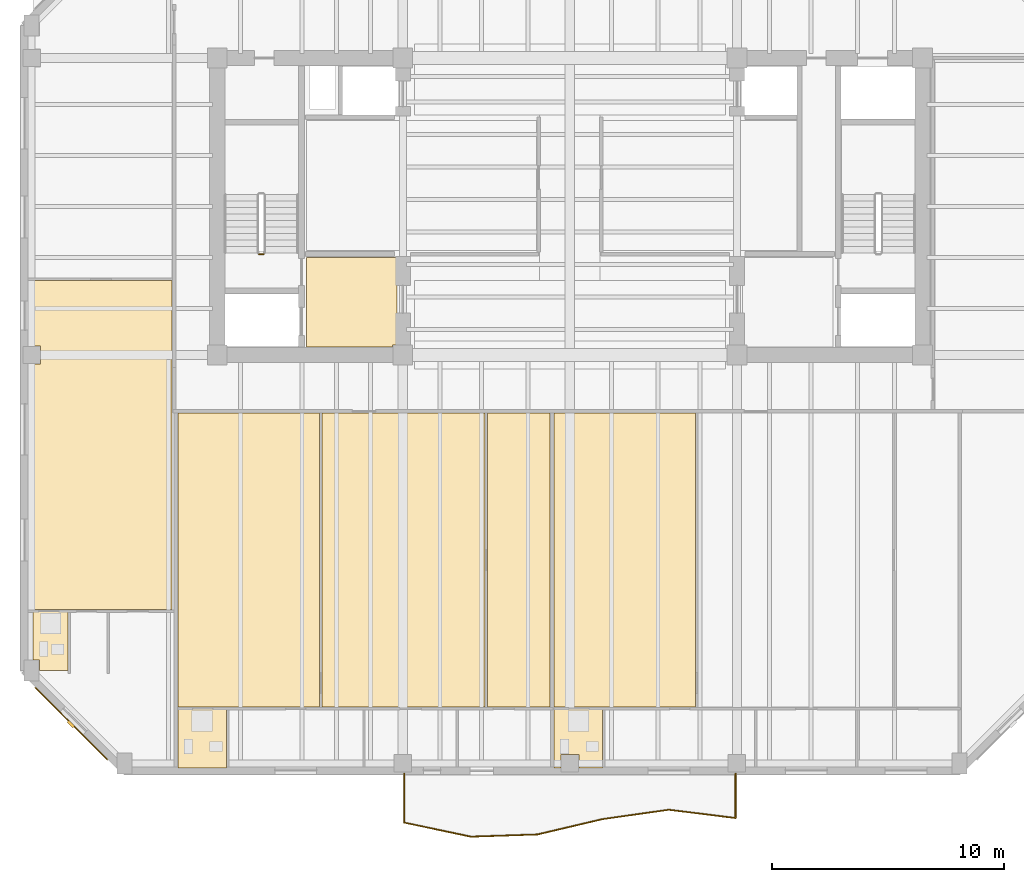
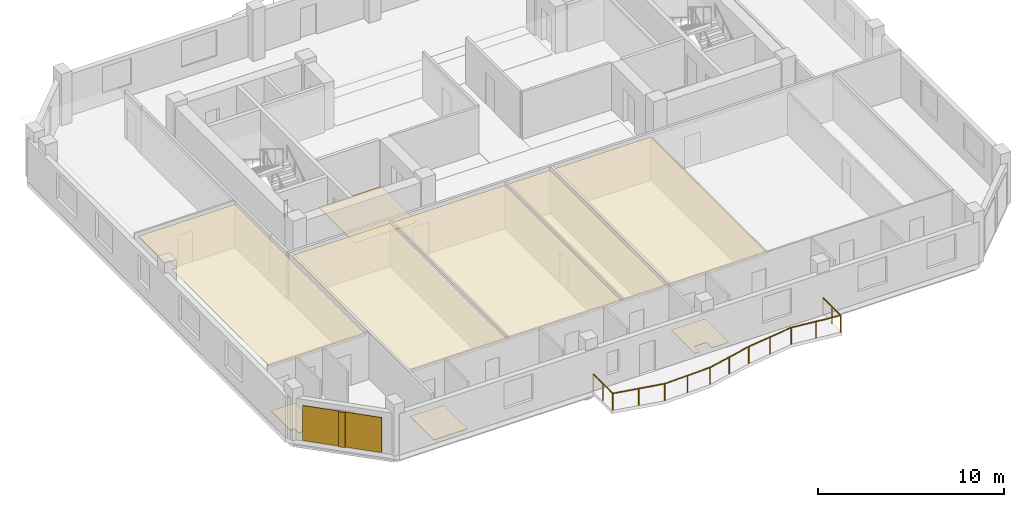
# One storey, part 6 of 10: 10 coverings, 2 railings, 1 shading device.
"""IFC4 building model written with IfcOpenShell, lengths in metres."""

from ifc_helpers import new_model, si_unit, direction, frame, origin, origin_2d, place, context, subcontext, project, spatial, polyline, rectangle, circle, outline, extrude, material, layer, layer_set, type_object, element, save


model = new_model("IFC4")

# Units and contexts
model_context = context("Model", 3, precision=1e-05, world=origin(), true_north=direction((0.0, 1.0)))
body_context = subcontext(model_context, "Body", "Model", "MODEL_VIEW")
ifc_project = project(units=[si_unit("LENGTHUNIT", "METRE"), si_unit("AREAUNIT", "SQUARE_METRE"), si_unit("VOLUMEUNIT", "CUBIC_METRE"), si_unit("PLANEANGLEUNIT", "RADIAN"), si_unit("MASSUNIT", "GRAM", prefix="KILO")], contexts=[model_context])

# Site, building, storey
site_placement = place(None, origin())
site = spatial("IfcSite", under=ifc_project, at=site_placement, CompositionType="ELEMENT")
building_placement = place(site_placement, origin())
building = spatial("IfcBuilding", under=site, at=building_placement, Name="Kranthara Brick Stack", CompositionType="ELEMENT")
storey_placement = place(building_placement, frame((0.0, 0.0, 214.300048828125)))
storey = spatial("IfcBuildingStorey", under=building, at=storey_placement, Name="L55", CompositionType="ELEMENT", Elevation=214.300048828125)

# Coverings
ifc_material_1 = material(Name="Perforated mineral-fibre acoustic ceiling tile", Category="other")
ifc_layer_1 = layer(ifc_material_1, 0.02490234375)
ifc_layer_set_1 = layer_set([ifc_layer_1], Name="Perforated mineral-fibre acoustic ceiling tile")
covering_type_1 = type_object("IfcCoveringType", Name="COV-CEIL-ACOUSTIC", PredefinedType="CEILING", material=ifc_layer_set_1)
covering_1_placement = place(storey_placement, frame((0.0, 0.0, 2.829833984375)))
element("IfcCovering", 1, at=covering_1_placement, inside=storey, type_object=covering_type_1, Name="L55 Unit L55A Bedroom 3 Acoustic Ceiling", PredefinedType="CEILING", context=body_context, shape_type="SweptSolid", body=[
    extrude(outline(polyline([(27.154052734375, 5.6298828125), (27.154052734375, 18.300048828125), (24.44189453125, 18.300048828125), (24.44189453125, 5.6298828125), (27.154052734375, 5.6298828125)])), origin(), (0.0, 0.0, 1.0), 0.025146484375),
])
covering_2_placement = place(storey_placement, frame((0.0, 0.0, 2.829833984375)))
element("IfcCovering", 2, at=covering_2_placement, inside=storey, type_object=covering_type_1, Name="L55 Unit L55A 3-Bed Apartment Living Dining Acoustic Ceiling", PredefinedType="CEILING", context=body_context, shape_type="SweptSolid", body=[
    extrude(outline(polyline([(17.2060546875, 5.6298828125), (17.2060546875, 18.300048828125), (11.10009765625, 18.300048828125), (11.10009765625, 5.6298828125), (17.2060546875, 5.6298828125)])), origin(), (0.0, 0.0, 1.0), 0.025146484375),
])
covering_3_placement = place(storey_placement, frame((0.0, 0.0, 2.829833984375)))
element("IfcCovering", 3, at=covering_3_placement, inside=storey, type_object=covering_type_1, Name="L55 Unit L55A Private Study Room Acoustic Ceiling", PredefinedType="CEILING", context=body_context, shape_type="SweptSolid", body=[
    extrude(outline(polyline([(24.342041015625, 5.6298828125), (24.342041015625, 18.300048828125), (17.305908203125, 18.300048828125), (17.305908203125, 5.6298828125), (24.342041015625, 5.6298828125)])), origin(), (0.0, 0.0, 1.0), 0.025146484375),
])
covering_4_placement = place(storey_placement, frame((0.0, 0.0, 2.829833984375)))
element("IfcCovering", 4, at=covering_4_placement, inside=storey, type_object=covering_type_1, Name="L55 Unit L55B 3-Bed Apartment Living Dining Acoustic Ceiling", PredefinedType="CEILING", context=body_context, shape_type="SweptSolid", body=[
    extrude(outline(polyline([(33.419921875, 5.6298828125), (33.419921875, 18.300048828125), (27.31396484375, 18.300048828125), (27.31396484375, 5.6298828125), (33.419921875, 5.6298828125)])), origin(), (0.0, 0.0, 1.0), 0.025146484375),
])
covering_5_placement = place(storey_placement, frame((0.0, 0.0, 2.829833984375)))
element("IfcCovering", 5, at=covering_5_placement, inside=storey, type_object=covering_type_1, Name="L55 Unit L55C Private Study Room Acoustic Ceiling", PredefinedType="CEILING", context=body_context, shape_type="SweptSolid", body=[
    extrude(outline(polyline([(4.8701171875, 24.011962890625), (10.860107421875, 24.011962890625), (10.860107421875, 9.830078125), (4.8701171875, 9.830078125), (4.8701171875, 20.4150390625), (5.18505859375, 20.4150390625), (5.18505859375, 21.18505859375), (4.8701171875, 21.18505859375), (4.8701171875, 24.011962890625)])), origin(), (0.0, 0.0, 1.0), 0.025146484375),
])
ifc_material_2 = material(Name="Warm buff kiln-fired brick slip rainscreen", Category="masonry")
ifc_layer_2 = layer(ifc_material_2, 0.044921875)
ifc_layer_set_2 = layer_set([ifc_layer_2], Name="Warm buff kiln-fired brick slip rainscreen")
covering_type_2 = type_object("IfcCoveringType", Name="COV-CLAD-BRICK", PredefinedType="CLADDING", material=ifc_layer_set_2)
covering_6_placement = place(storey_placement, frame((6.5126953125, 4.91259765625, 0.0498046875), z_axis=(0.0, 0.0, 1.0), x_axis=(-0.707106781187, 0.707106781187, 0.0)))
element("IfcCovering", 6, at=covering_6_placement, inside=storey, type_object=covering_type_2, Name="L55 Chamfer Brick Rainscreen Cladding SW", PredefinedType="CLADDING", context=body_context, shape_type="SweptSolid", body=[
    extrude(rectangle(XDim=4.39892578125, YDim=0.044921875, at=origin_2d()), origin(), (0.0, 0.0, 1.0), 2.300048828125),
])
ifc_material_3 = material(Name="Honed terrazzo and porcelain floor finish", Category="stone")
ifc_layer_3 = layer(ifc_material_3, 0.030029296875)
ifc_layer_set_3 = layer_set([ifc_layer_3], Name="Honed terrazzo and porcelain floor finish")
covering_type_3 = type_object("IfcCoveringType", Name="COV-FLOR-STONE", PredefinedType="FLOORING", material=ifc_layer_set_3)
covering_7_placement = place(storey_placement, origin())
element("IfcCovering", 7, at=covering_7_placement, inside=storey, type_object=covering_type_3, Name="L55 Lift Lobby Stone Flooring", PredefinedType="FLOORING", context=body_context, shape_type="SweptSolid", body=[
    extrude(outline(polyline([(16.64990234375, 21.14990234375), (16.64990234375, 25.0), (20.550048828125, 25.0), (20.550048828125, 21.235107421875), (20.364990234375, 21.235107421875), (20.364990234375, 21.14990234375), (16.64990234375, 21.14990234375)])), origin(), (0.0, 0.0, 1.0), 0.030029296875),
])
covering_8_placement = place(storey_placement, origin())
element("IfcCovering", 8, at=covering_8_placement, inside=storey, type_object=covering_type_3, Name="L55 Wet Room Porcelain Flooring", PredefinedType="FLOORING", context=body_context, shape_type="SweptSolid", body=[
    extrude(outline(polyline([(13.199951171875, 3.0), (13.199951171875, 5.550048828125), (11.10009765625, 5.550048828125), (11.10009765625, 3.0), (13.199951171875, 3.0)])), origin(), (0.0, 0.0, 1.0), 0.030029296875),
])
covering_9_placement = place(storey_placement, origin())
element("IfcCovering", 9, at=covering_9_placement, inside=storey, type_object=covering_type_3, Name="L55 Wet Room Porcelain Flooring", PredefinedType="FLOORING", context=body_context, shape_type="SweptSolid", body=[
    extrude(outline(polyline([(27.31396484375, 3.0), (27.31396484375, 5.550048828125), (29.4140625, 5.550048828125), (29.4140625, 3.0), (28.385009765625, 3.0), (28.385009765625, 3.5849609375), (27.614990234375, 3.5849609375), (27.614990234375, 3.0), (27.31396484375, 3.0)])), origin(), (0.0, 0.0, 1.0), 0.030029296875),
])
covering_10_placement = place(storey_placement, origin())
element("IfcCovering", 10, at=covering_10_placement, inside=storey, type_object=covering_type_3, Name="L55 Wet Room Porcelain Flooring", PredefinedType="FLOORING", context=body_context, shape_type="SweptSolid", body=[
    extrude(outline(polyline([(4.8701171875, 9.75), (6.375, 9.75), (6.375, 7.199951171875), (5.135009765625, 7.199951171875), (5.135009765625, 7.659912109375), (4.8701171875, 7.659912109375), (4.8701171875, 9.75)])), origin(), (0.0, 0.0, 1.0), 0.030029296875),
])

# Railings
ifc_material_4 = material(Name="Bronze anodised aluminium and laminated glass balustrade", Category="aluminium")
railing_type_1 = type_object("IfcRailingType", Name="RL-BALC-1120", PredefinedType="BALUSTRADE", material=ifc_material_4)
railing_1_placement = place(storey_placement, frame((35.139892578125, 2.760009765625, 0.0)))
element("IfcRailing", 11, at=railing_1_placement, inside=storey, type_object=railing_type_1, Name="L55 South Rippling Balcony Balustrade", PredefinedType="BALUSTRADE", context=body_context, shape_type="SweptSolid", body=[
    extrude(circle(Radius=0.02392578125, at=origin_2d()), frame((0.0, 0.0, 1.09619140625), z_axis=(0.0, -1.0, 0.0), x_axis=(1.0, 0.0, 0.0)), (0.0, 0.0, 1.0), 1.9189453125),
    extrude(circle(Radius=0.02392578125, at=origin_2d()), frame((0.0, -1.9189453125, 1.09619140625), z_axis=(-0.992406768438, 0.122999211212, 0.0), x_axis=(-0.122999211212, -0.992406768438, 0.0)), (0.0, 0.0, 1.0), 2.90185546875),
    extrude(circle(Radius=0.02392578125, at=origin_2d()), frame((-2.8798828125, -1.56201171875, 1.09619140625), z_axis=(-0.990046668003, -0.140739458488, 0.0), x_axis=(0.140739458488, -0.990046668003, 0.0)), (0.0, 0.0, 1.0), 2.907470703125),
    extrude(circle(Radius=0.02392578125, at=origin_2d()), frame((-5.75830078125, -1.97119140625, 1.09619140625), z_axis=(-0.973211113613, -0.229913306139, 0.0), x_axis=(0.229913306139, -0.973211113613, 0.0)), (0.0, 0.0, 1.0), 2.84912109375),
    extrude(circle(Radius=0.02392578125, at=origin_2d()), frame((-8.531005859375, -2.626220703125, 1.09619140625), z_axis=(-0.999430571546, -0.033742149579, 0.0), x_axis=(0.033742149579, -0.999430571546, 0.0)), (0.0, 0.0, 1.0), 2.87255859375),
    extrude(circle(Radius=0.02392578125, at=origin_2d()), frame((-11.40185546875, -2.72314453125, 1.09619140625), z_axis=(-0.978447514968, 0.206495666913, 0.0), x_axis=(-0.206495666913, -0.978447514968, 0.0)), (0.0, 0.0, 1.0), 2.941650390625),
    extrude(circle(Radius=0.02392578125, at=origin_2d()), frame((-14.280029296875, -2.11572265625, 1.09619140625), z_axis=(0.000115393491, 0.999999993342, 0.0), x_axis=(-0.999999993342, 0.000115393491, 0.0)), (0.0, 0.0, 1.0), 2.11572265625),
    extrude(circle(Radius=0.02099609375, at=origin_2d()), origin(), (0.0, 0.0, 1.0), 1.072021484375),
    extrude(circle(Radius=0.02099609375, at=origin_2d()), frame((0.0, -0.95947265625, 0.0)), (0.0, 0.0, 1.0), 1.072021484375),
    extrude(circle(Radius=0.02099609375, at=origin_2d()), frame((0.0, -1.9189453125, 0.0)), (0.0, 0.0, 1.0), 1.072021484375),
    extrude(circle(Radius=0.02099609375, at=origin_2d()), frame((-1.43994140625, -1.740478515625, 0.0)), (0.0, 0.0, 1.0), 1.072021484375),
    extrude(circle(Radius=0.02099609375, at=origin_2d()), frame((-2.8798828125, -1.56201171875, 0.0)), (0.0, 0.0, 1.0), 1.072021484375),
    extrude(circle(Radius=0.02099609375, at=origin_2d()), frame((-4.319091796875, -1.7666015625, 0.0)), (0.0, 0.0, 1.0), 1.072021484375),
    extrude(circle(Radius=0.02099609375, at=origin_2d()), frame((-5.75830078125, -1.97119140625, 0.0)), (0.0, 0.0, 1.0), 1.072021484375),
    extrude(circle(Radius=0.02099609375, at=origin_2d()), frame((-7.14453125, -2.298828125, 0.0)), (0.0, 0.0, 1.0), 1.072021484375),
    extrude(circle(Radius=0.02099609375, at=origin_2d()), frame((-8.531005859375, -2.626220703125, 0.0)), (0.0, 0.0, 1.0), 1.072021484375),
    extrude(circle(Radius=0.02099609375, at=origin_2d()), frame((-9.96630859375, -2.6748046875, 0.0)), (0.0, 0.0, 1.0), 1.072021484375),
    extrude(circle(Radius=0.02099609375, at=origin_2d()), frame((-11.40185546875, -2.72314453125, 0.0)), (0.0, 0.0, 1.0), 1.072021484375),
    extrude(circle(Radius=0.02099609375, at=origin_2d()), frame((-12.8408203125, -2.41943359375, 0.0)), (0.0, 0.0, 1.0), 1.072021484375),
    extrude(circle(Radius=0.02099609375, at=origin_2d()), frame((-14.280029296875, -2.11572265625, 0.0)), (0.0, 0.0, 1.0), 1.072021484375),
    extrude(circle(Radius=0.02099609375, at=origin_2d()), frame((-14.27978515625, -1.057861328125, 0.0)), (0.0, 0.0, 1.0), 1.072021484375),
    extrude(circle(Radius=0.02099609375, at=origin_2d()), frame((-14.27978515625, 0.0, 0.0)), (0.0, 0.0, 1.0), 1.072021484375),
])
ifc_material_5 = material(Name="Painted galvanized steel stair guardrail", Category="steel")
railing_type_2 = type_object("IfcRailingType", Name="RL-STAIR-GUARD-1100", PredefinedType="GUARDRAIL", material=ifc_material_5)
railing_2_placement = place(storey_placement, frame((14.800048828125, 25.14990234375, 0.0)))
element("IfcRailing", 12, at=railing_2_placement, inside=storey, type_object=railing_type_2, Name="L55 ST01 stair guard 4", PredefinedType="GUARDRAIL", context=body_context, shape_type="SweptSolid", body=[
    extrude(circle(Radius=0.02392578125, at=origin_2d()), frame((0.0, 0.0, 1.076171875), z_axis=(-1.0, 0.0, 0.0), x_axis=(0.0, -1.0, 0.0)), (0.0, 0.0, 1.0), 0.199951171875),
    extrude(circle(Radius=0.02099609375, at=origin_2d()), origin(), (0.0, 0.0, 1.0), 1.052001953125),
    extrude(circle(Radius=0.02099609375, at=origin_2d()), frame((-0.199951171875, 0.0, 0.0)), (0.0, 0.0, 1.0), 1.052001953125),
])

# Shading device
ifc_material_6 = material(Name="Kiln-fired terracotta aerodynamic wind fin", Category="masonry")
shading_device_type = type_object("IfcShadingDeviceType", Name="SHD-BAFFLE-CORNER", PredefinedType="SHUTTER", material=ifc_material_6)
shading_device_placement = place(storey_placement, frame((6.491455078125, 4.8916015625, 0.0498046875), z_axis=(0.0, 0.0, 1.0), x_axis=(-0.707106781187, 0.707106781187, 0.0)))
element("IfcShadingDevice", 13, at=shading_device_placement, inside=storey, type_object=shading_device_type, Name="L55 Chamfer Wind-Baffle Fin SW", PredefinedType="SHUTTER", context=body_context, shape_type="SweptSolid", body=[
    extrude(rectangle(XDim=0.35009765625, YDim=0.1201171875, at=origin_2d()), origin(), (0.0, 0.0, 1.0), 2.300048828125),
])

save(model, "model.ifc")
